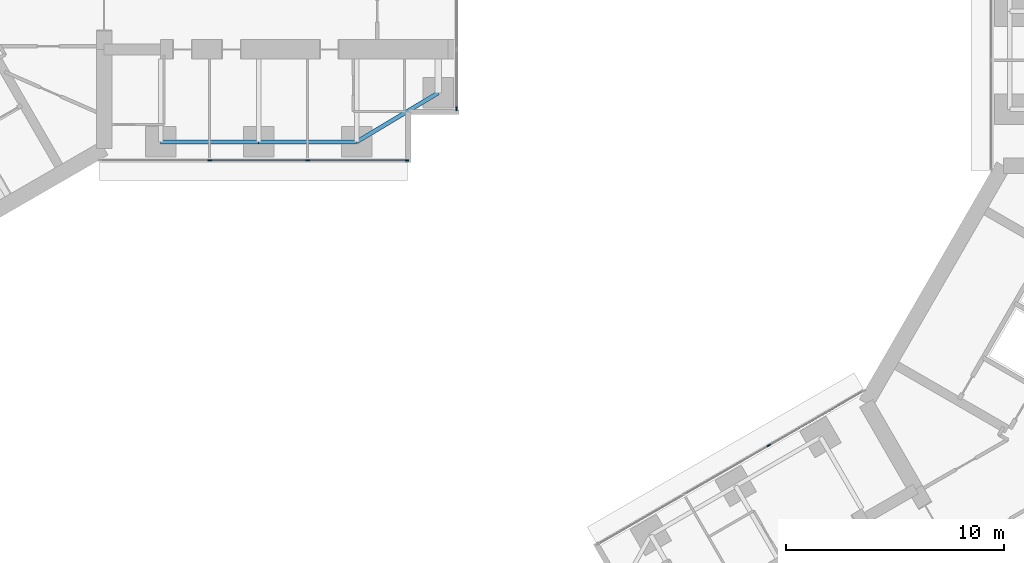
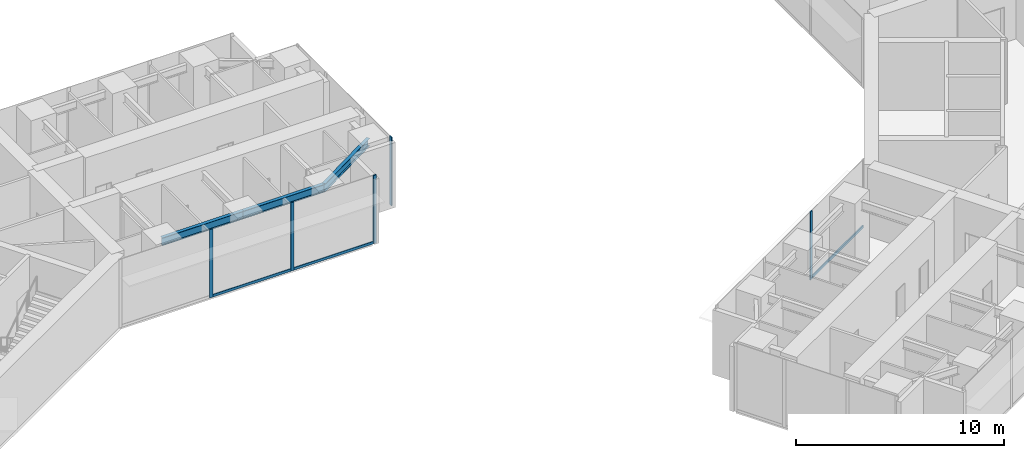
# One storey, part 5 of 25: 8 members, 3 beams, 3 elements without a shape of their own.
"""IFC4 building model written with IfcOpenShell, lengths in metres."""

from ifc_helpers import new_model, si_unit, direction, frame, origin, origin_2d, place, context, subcontext, project, spatial, rectangle, i_section, extrude, material, material_profile, profile_set, type_object, element, aggregate, save


model = new_model("IFC4")

# Units and contexts
model_context = context("Model", 3, precision=1e-05, world=origin(), true_north=direction((0.0, 1.0)))
body_context = subcontext(model_context, "Body", "Model", "MODEL_VIEW")
ifc_project = project(units=[si_unit("LENGTHUNIT", "METRE"), si_unit("AREAUNIT", "SQUARE_METRE"), si_unit("VOLUMEUNIT", "CUBIC_METRE"), si_unit("PLANEANGLEUNIT", "RADIAN"), si_unit("MASSUNIT", "GRAM", prefix="KILO")], contexts=[model_context])

# Site, building, storey
site_placement = place(None, origin())
site = spatial("IfcSite", under=ifc_project, at=site_placement, CompositionType="ELEMENT")
building_placement = place(site_placement, origin())
building = spatial("IfcBuilding", under=site, at=building_placement, Name="Upepo Twin Towers", CompositionType="ELEMENT")
storey_placement = place(building_placement, frame((0.0, 0.0, 80.5)))
storey = spatial("IfcBuildingStorey", under=building, at=storey_placement, Name="L19", CompositionType="ELEMENT", Elevation=80.5)

# Beams
ifc_material_1 = material(Name="Steel S355", Category="steel")
ifc_material_profile_1 = material_profile(ifc_material_1, i_section(OverallWidth=0.1904296875, OverallDepth=0.45703125, WebThickness=0.009033203125, FlangeThickness=0.014404296875, FilletRadius=0.01025390625, at=origin_2d()), Name="UB 457x191x74")
ifc_profile_set_1 = profile_set([ifc_material_profile_1], Name="Steel S355")
beam_type = type_object("IfcBeamType", Name="Beam UB 457x191x74", PredefinedType="BEAM", material=ifc_profile_set_1)
for number, where, z_axis, x_axis, name in (
    (1, (13.5, -6.0, 3.571533203125), (1.0, 0.0, 0.0), (0.0, 1.0, 0.0), "T1 edge beam AR 13.5-18.0"),
    (2, (18.0, -6.0, 3.571533203125), (1.0, 0.0, 0.0), (0.0, 1.0, 0.0), "T1 edge beam AR 18.0-22.5"),
):
    element("IfcBeam", number, at=place(storey_placement, frame(where, z_axis=z_axis, x_axis=x_axis)), inside=storey, type_object=beam_type, Name=name, PredefinedType="BEAM", context=body_context, shape_type="SweptSolid", body=[
        extrude(i_section(OverallWidth=0.1904296875, OverallDepth=0.45703125, WebThickness=0.009033203125, FlangeThickness=0.014404296875, FilletRadius=0.01025390625, at=origin_2d()), origin(), (0.0, 0.0, 1.0), 4.5),
    ])
beam_placement = place(storey_placement, frame((22.5, -6.0, 3.571533203125), z_axis=(0.857492925713, 0.514495755428, 0.0), x_axis=(-0.514495755428, 0.857492925713, 0.0)))
element("IfcBeam", 3, at=beam_placement, inside=storey, type_object=beam_type, Name="T1 nose edge beam AR", PredefinedType="BEAM", context=body_context, shape_type="SweptSolid", body=[
    extrude(i_section(OverallWidth=0.1904296875, OverallDepth=0.45703125, WebThickness=0.009033203125, FlangeThickness=0.014404296875, FilletRadius=0.01025390625, at=origin_2d()), origin(), (0.0, 0.0, 1.0), 4.373291015625),
])

# Curtain wall, members
ifc_material_2 = material(Name="Aluminium and fritted glass", Category="aluminium")
curtain_wall_type = type_object("IfcCurtainWallType", Name="Tower curtain wall TW1, fritted glass", PredefinedType="NOTDEFINED", material=ifc_material_2)
curtain_wall_1_placement = place(storey_placement, origin())
curtain_wall_1 = element("IfcCurtainWall", 4, at=curtain_wall_1_placement, inside=storey, type_object=curtain_wall_type, Name="T1 L19 wing A flank R curtain wall", PredefinedType="NOTDEFINED")
ifc_material_3 = material(Name="Aluminium mullion", Category="aluminium")
ifc_material_profile_2 = material_profile(ifc_material_3, rectangle(XDim=0.06494140625, YDim=0.179931640625, at=origin_2d()), Name="MULLION 65x180")
ifc_profile_set_2 = profile_set([ifc_material_profile_2], Name="Aluminium mullion")
member_type_1 = type_object("IfcMemberType", Name="Mullion 65x180 TW1", PredefinedType="MULLION", material=ifc_profile_set_2)
member_1_placement = place(storey_placement, frame((24.8173828125, -6.85009765625, 0.0), z_axis=(0.0, 0.0, 1.0), x_axis=(0.0, -1.0, 0.0)))
member_1 = element("IfcMember", 5, at=member_1_placement, type_object=member_type_1, Name="T1 L19 wing A flank R curtain wall mullion 1", PredefinedType="MULLION", context=body_context, shape_type="SweptSolid", body=[
    extrude(rectangle(XDim=0.06494140625, YDim=0.179931640625, at=origin_2d()), origin(), (0.0, 0.0, 1.0), 4.0),
])
member_2_placement = place(storey_placement, frame((20.25, -6.85009765625, 0.0), z_axis=(0.0, 0.0, 1.0), x_axis=(0.0, -1.0, 0.0)))
member_2 = element("IfcMember", 6, at=member_2_placement, type_object=member_type_1, Name="T1 L19 wing A flank R curtain wall mullion 2", PredefinedType="MULLION", context=body_context, shape_type="SweptSolid", body=[
    extrude(rectangle(XDim=0.06494140625, YDim=0.179931640625, at=origin_2d()), origin(), (0.0, 0.0, 1.0), 4.0),
])
member_3_placement = place(storey_placement, frame((15.75, -6.85009765625, 0.0), z_axis=(0.0, 0.0, 1.0), x_axis=(0.0, -1.0, 0.0)))
member_3 = element("IfcMember", 7, at=member_3_placement, type_object=member_type_1, Name="T1 L19 wing A flank R curtain wall mullion 3", PredefinedType="MULLION", context=body_context, shape_type="SweptSolid", body=[
    extrude(rectangle(XDim=0.06494140625, YDim=0.179931640625, at=origin_2d()), origin(), (0.0, 0.0, 1.0), 4.0),
])

# Curtain wall, member
curtain_wall_2_placement = place(storey_placement, origin())
curtain_wall_2 = element("IfcCurtainWall", 8, at=curtain_wall_2_placement, inside=storey, type_object=curtain_wall_type, Name="T1 L19 wing A nose curtain wall", PredefinedType="NOTDEFINED")
member_4_placement = place(storey_placement, frame((27.10009765625, -4.467529296875, 0.0), z_axis=(0.0, 0.0, 1.0), x_axis=(-1.0, 0.0, 0.0)))
member_4 = element("IfcMember", 9, at=member_4_placement, type_object=member_type_1, Name="T1 L19 wing A nose curtain wall mullion 1", PredefinedType="MULLION", context=body_context, shape_type="SweptSolid", body=[
    extrude(rectangle(XDim=0.06494140625, YDim=0.179931640625, at=origin_2d()), origin(), (0.0, 0.0, 1.0), 4.0),
])
aggregate(curtain_wall_2, [member_4])

curtain_wall_3_placement = place(storey_placement, origin())
curtain_wall_3 = element("IfcCurtainWall", 10, at=curtain_wall_3_placement, inside=storey, type_object=curtain_wall_type, Name="T2 L19 wing B flank R curtain wall", PredefinedType="NOTDEFINED")
member_5_placement = place(storey_placement, frame((41.43505859375, -19.942626953125, 0.0), z_axis=(0.0, 0.0, 1.0), x_axis=(-0.500000024426, 0.866025389682, 0.0)))
member_5 = element("IfcMember", 11, at=member_5_placement, type_object=member_type_1, Name="T2 L19 wing B flank R curtain wall mullion 3", PredefinedType="MULLION", context=body_context, shape_type="SweptSolid", body=[
    extrude(rectangle(XDim=0.06494140625, YDim=0.179931640625, at=origin_2d()), origin(), (0.0, 0.0, 1.0), 4.0),
])

# Member
ifc_material_4 = material(Name="Aluminium transom", Category="aluminium")
ifc_material_profile_3 = material_profile(ifc_material_4, rectangle(XDim=0.06494140625, YDim=0.14990234375, at=origin_2d()), Name="TRANSOM 65x150")
ifc_profile_set_3 = profile_set([ifc_material_profile_3], Name="Aluminium transom")
member_type_2 = type_object("IfcMemberType", Name="Transom 65x150 TW1", PredefinedType="USERDEFINED", material=ifc_profile_set_3)
member_6_placement = place(storey_placement, frame((24.784912109375, -6.85009765625, 0.074951171875), z_axis=(-1.0, 0.0, 0.0), x_axis=(0.0, -1.0, 0.0)))
member_6 = element("IfcMember", 12, at=member_6_placement, type_object=member_type_2, Name="T1 L19 wing A flank R curtain wall transom 1", ObjectType="TRANSOM", PredefinedType="USERDEFINED", context=body_context, shape_type="SweptSolid", body=[
    extrude(rectangle(XDim=0.06494140625, YDim=0.14990234375, at=origin_2d()), origin(), (0.0, 0.0, 1.0), 4.50244140625),
])

member_7_placement = place(storey_placement, frame((20.217529296875, -6.85009765625, 0.074951171875), z_axis=(-1.0, 0.0, 0.0), x_axis=(0.0, -1.0, 0.0)))
member_7 = element("IfcMember", 13, at=member_7_placement, type_object=member_type_2, Name="T1 L19 wing A flank R curtain wall transom 2", ObjectType="TRANSOM", PredefinedType="USERDEFINED", context=body_context, shape_type="SweptSolid", body=[
    extrude(rectangle(XDim=0.06494140625, YDim=0.14990234375, at=origin_2d()), origin(), (0.0, 0.0, 1.0), 4.43505859375),
])

aggregate(curtain_wall_1, [member_1, member_2, member_3, member_6, member_7])

member_8_placement = place(storey_placement, frame((41.463134765625, -19.926513671875, 0.074951171875), z_axis=(0.866034933967, 0.499983492876, 0.0), x_axis=(-0.499983492876, 0.866034933967, 0.0)))
member_8 = element("IfcMember", 14, at=member_8_placement, type_object=member_type_2, Name="T2 L19 wing B flank R curtain wall transom 3", ObjectType="TRANSOM", PredefinedType="USERDEFINED", context=body_context, shape_type="SweptSolid", body=[
    extrude(rectangle(XDim=0.06494140625, YDim=0.14990234375, at=origin_2d()), origin(), (0.0, 0.0, 1.0), 4.965576171875),
])

aggregate(curtain_wall_3, [member_5, member_8])

save(model, "model.ifc")
